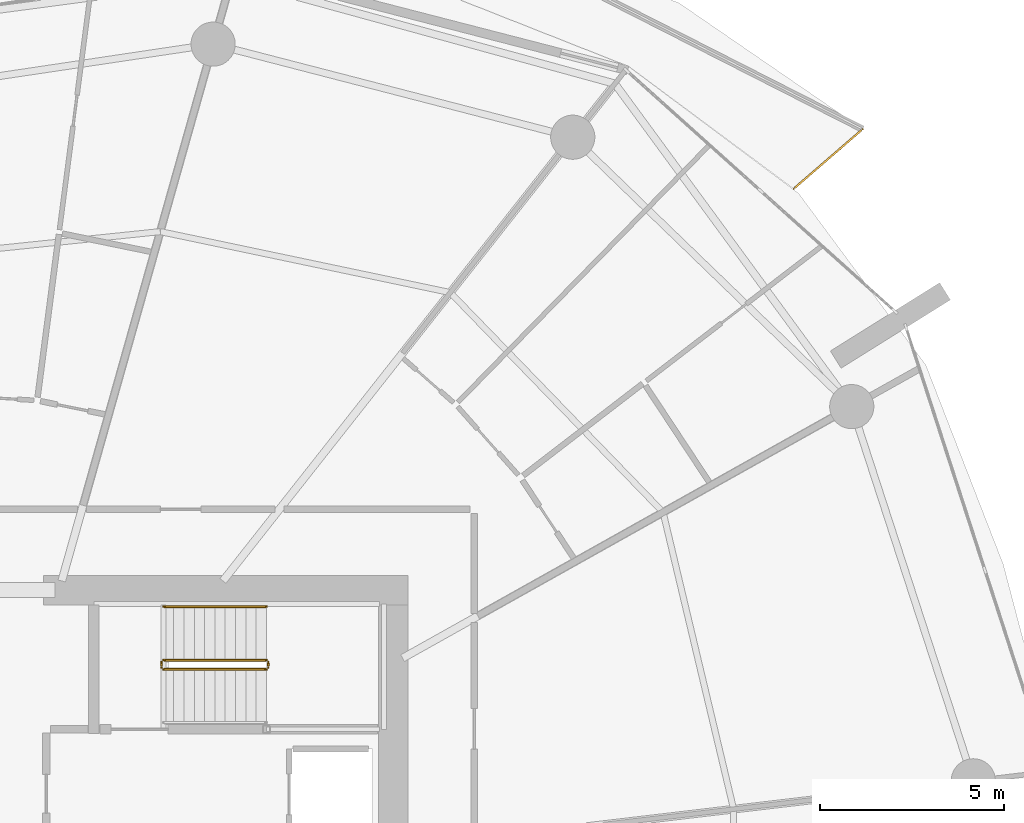
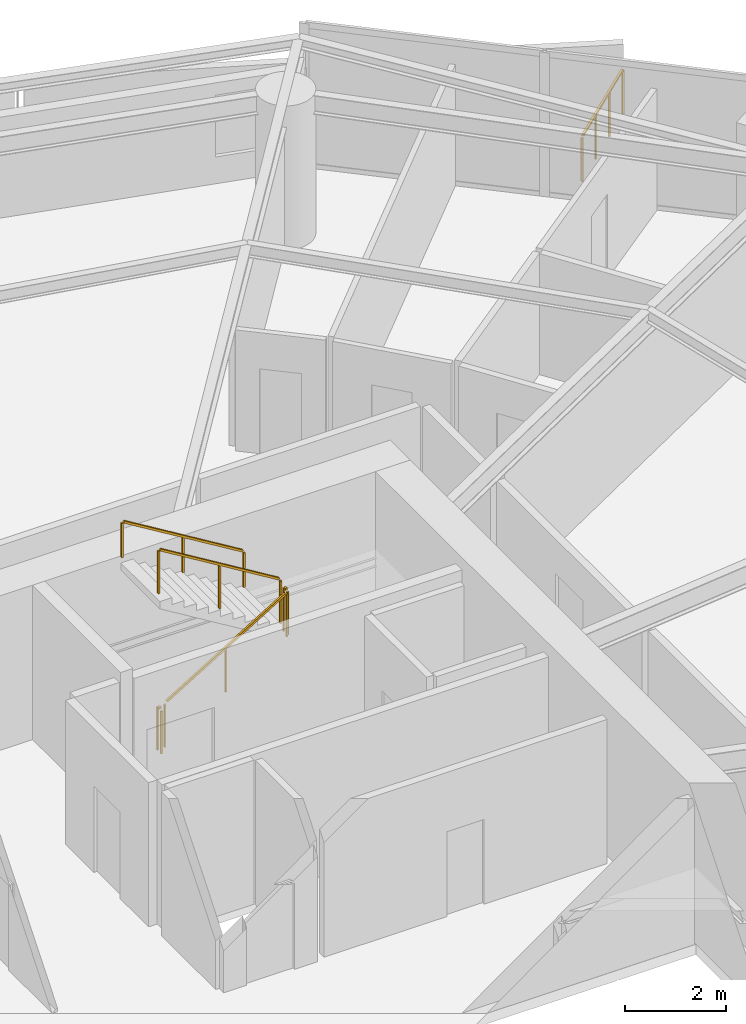
# One storey, part 22 of 23: 6 railings.
"""IFC4 building model written with IfcOpenShell, lengths in metres."""

from ifc_helpers import new_model, si_unit, direction, frame, origin, origin_2d, place, context, subcontext, project, spatial, rectangle, extrude, material, type_object, element, save


model = new_model("IFC4")

# Units and contexts
model_context = context("Model", 3, precision=1e-05, world=origin(), true_north=direction((0.0, 1.0)))
body_context = subcontext(model_context, "Body", "Model", "MODEL_VIEW")
ifc_project = project(units=[si_unit("LENGTHUNIT", "METRE"), si_unit("AREAUNIT", "SQUARE_METRE"), si_unit("VOLUMEUNIT", "CUBIC_METRE"), si_unit("PLANEANGLEUNIT", "RADIAN"), si_unit("MASSUNIT", "GRAM", prefix="KILO")], contexts=[model_context])

# Site, building, storey
site_placement = place(None, origin())
site = spatial("IfcSite", under=ifc_project, at=site_placement, CompositionType="ELEMENT")
building_placement = place(site_placement, origin())
building = spatial("IfcBuilding", under=site, at=building_placement, Name="Kazma Halo Residences", CompositionType="ELEMENT")
storey_placement = place(building_placement, frame((0.0, 0.0, 78.89990234375)))
storey = spatial("IfcBuildingStorey", under=building, at=storey_placement, Name="L19", CompositionType="ELEMENT", Elevation=78.89990234375)

# Railings
ifc_material_1 = material(Name="Aluminium AW-6063 T6 Brushed Cap Rail", Category="aluminium")
railing_type_1 = type_object("IfcRailingType", Name="RLG-BAL-CAP-1120", PredefinedType="BALUSTRADE", material=ifc_material_1)
railing_1_placement = place(storey_placement, frame((70.323974609375, 61.303466796875, 0.0)))
element("IfcRailing", 1, at=railing_1_placement, inside=storey, type_object=railing_type_1, Name="L19 NE wave balcony guard 1", PredefinedType="BALUSTRADE", context=body_context, shape_type="SweptSolid", body=[
    extrude(rectangle(XDim=0.050048828125, YDim=0.050048828125, at=origin_2d()), frame((0.0322265625, 0.02783203125, 1.09521484375), z_axis=(0.756422383747, 0.654083463609, 0.0), x_axis=(-0.654083463609, 0.756422383747, 0.0)), (0.0, 0.0, 1.0), 2.39599609375),
    extrude(rectangle(XDim=0.0400390625, YDim=0.0400390625, at=origin_2d()), origin(), (0.0, 0.0, 1.0), 1.05810546875),
    extrude(rectangle(XDim=0.0400390625, YDim=0.0400390625, at=origin_2d()), frame((0.62548828125, 0.541015625, 0.0)), (0.0, 0.0, 1.0), 1.05810546875),
    extrude(rectangle(XDim=0.0400390625, YDim=0.0400390625, at=origin_2d()), frame((1.251220703125, 1.081787109375, 0.0)), (0.0, 0.0, 1.0), 1.05810546875),
    extrude(rectangle(XDim=0.0400390625, YDim=0.0400390625, at=origin_2d()), frame((1.876708984375, 1.622802734375, 0.0)), (0.0, 0.0, 1.0), 1.05810546875),
])
ifc_material_2 = material(Name="Painted Steel S355", Category="steel")
railing_type_2 = type_object("IfcRailingType", Name="RLG-STAIR-GRD-1100", PredefinedType="GUARDRAIL", material=ifc_material_2)
railing_2_placement = place(storey_placement, frame((53.199951171875, 48.25, 0.170654296875)))
element("IfcRailing", 2, at=railing_2_placement, inside=storey, type_object=railing_type_2, Name="L19 ST-02 stair guard 1", PredefinedType="GUARDRAIL", context=body_context, shape_type="SweptSolid", body=[
    extrude(rectangle(XDim=0.050048828125, YDim=0.050048828125, at=origin_2d()), frame((0.036376953125, 0.0, 1.09716796875), z_axis=(0.854202870247, 0.0, 0.519939858505), x_axis=(0.0, 1.0, 0.0)), (0.0, 0.0, 1.0), 3.19287109375),
    extrude(rectangle(XDim=0.0400390625, YDim=0.0400390625, at=origin_2d()), origin(), (0.0, 0.0, 1.0), 1.0380859375),
    extrude(rectangle(XDim=0.0400390625, YDim=0.0400390625, at=origin_2d()), frame((1.39990234375, 0.0, 0.85205078125)), (0.0, 0.0, 1.0), 1.0380859375),
    extrude(rectangle(XDim=0.0400390625, YDim=0.0400390625, at=origin_2d()), frame((2.800048828125, 0.0, 1.704345703125)), (0.0, 0.0, 1.0), 1.0380859375),
])
railing_3_placement = place(storey_placement, frame((56.050048828125, 48.300048828125, 1.875)))
element("IfcRailing", 3, at=railing_3_placement, inside=storey, type_object=railing_type_2, Name="L19 ST-02 stair guard 2", PredefinedType="GUARDRAIL", context=body_context, shape_type="SweptSolid", body=[
    extrude(rectangle(XDim=0.050048828125, YDim=0.050048828125, at=origin_2d()), frame((0.0, 0.04248046875, 1.0751953125), z_axis=(0.0, 1.0, 0.0), x_axis=(-1.0, 0.0, 0.0)), (0.0, 0.0, 1.0), 0.06494140625),
    extrude(rectangle(XDim=0.0400390625, YDim=0.0400390625, at=origin_2d()), origin(), (0.0, 0.0, 1.0), 1.0380859375),
    extrude(rectangle(XDim=0.0400390625, YDim=0.0400390625, at=origin_2d()), frame((0.0, 0.14990234375, 0.0)), (0.0, 0.0, 1.0), 1.0380859375),
])
railing_4_placement = place(storey_placement, frame((56.0, 48.5, 2.045654296875)))
element("IfcRailing", 4, at=railing_4_placement, inside=storey, type_object=railing_type_2, Name="L19 ST-02 stair guard 3", PredefinedType="GUARDRAIL", context=body_context, shape_type="SweptSolid", body=[
    extrude(rectangle(XDim=0.050048828125, YDim=0.050048828125, at=origin_2d()), frame((-0.036376953125, 0.0, 1.09716796875), z_axis=(-0.854202870247, 0.0, 0.519939858505), x_axis=(0.0, -1.0, 0.0)), (0.0, 0.0, 1.0), 3.19287109375),
    extrude(rectangle(XDim=0.0400390625, YDim=0.0400390625, at=origin_2d()), origin(), (0.0, 0.0, 1.0), 1.0380859375),
    extrude(rectangle(XDim=0.0400390625, YDim=0.0400390625, at=origin_2d()), frame((-1.39990234375, 0.0, 0.85205078125)), (0.0, 0.0, 1.0), 1.0380859375),
    extrude(rectangle(XDim=0.0400390625, YDim=0.0400390625, at=origin_2d()), frame((-2.800048828125, 0.0, 1.704345703125)), (0.0, 0.0, 1.0), 1.0380859375),
])
railing_5_placement = place(storey_placement, frame((53.14990234375, 48.300048828125, 0.0)))
element("IfcRailing", 5, at=railing_5_placement, inside=storey, type_object=railing_type_2, Name="L19 ST-02 stair guard 4", PredefinedType="GUARDRAIL", context=body_context, shape_type="SweptSolid", body=[
    extrude(rectangle(XDim=0.050048828125, YDim=0.050048828125, at=origin_2d()), frame((0.0, 0.04248046875, 1.0751953125), z_axis=(0.0, 1.0, 0.0), x_axis=(-1.0, 0.0, 0.0)), (0.0, 0.0, 1.0), 0.06494140625),
    extrude(rectangle(XDim=0.0400390625, YDim=0.0400390625, at=origin_2d()), origin(), (0.0, 0.0, 1.0), 1.0380859375),
    extrude(rectangle(XDim=0.0400390625, YDim=0.0400390625, at=origin_2d()), frame((0.0, 0.14990234375, 0.0)), (0.0, 0.0, 1.0), 1.0380859375),
])
ifc_material_3 = material(Name="Brushed Stainless Steel", Category="steel")
railing_type_3 = type_object("IfcRailingType", Name="RLG-STAIR-HND-900", PredefinedType="HANDRAIL", material=ifc_material_3)
railing_6_placement = place(storey_placement, frame((56.0, 49.949951171875, 2.045654296875)))
element("IfcRailing", 6, at=railing_6_placement, inside=storey, type_object=railing_type_3, Name="L19 ST-02 stair handrail 2", PredefinedType="HANDRAIL", context=body_context, shape_type="SweptSolid", body=[
    extrude(rectangle(XDim=0.050048828125, YDim=0.050048828125, at=origin_2d()), frame((-0.036376953125, 0.0, 0.89697265625), z_axis=(-0.854202870247, 0.0, 0.519939858505), x_axis=(0.0, -1.0, 0.0)), (0.0, 0.0, 1.0), 3.19287109375),
    extrude(rectangle(XDim=0.0400390625, YDim=0.0400390625, at=origin_2d()), origin(), (0.0, 0.0, 1.0), 0.837890625),
    extrude(rectangle(XDim=0.0400390625, YDim=0.0400390625, at=origin_2d()), frame((-1.39990234375, 0.0, 0.85205078125)), (0.0, 0.0, 1.0), 0.837890625),
    extrude(rectangle(XDim=0.0400390625, YDim=0.0400390625, at=origin_2d()), frame((-2.800048828125, 0.0, 1.704345703125)), (0.0, 0.0, 1.0), 0.837890625),
])

save(model, "model.ifc")
